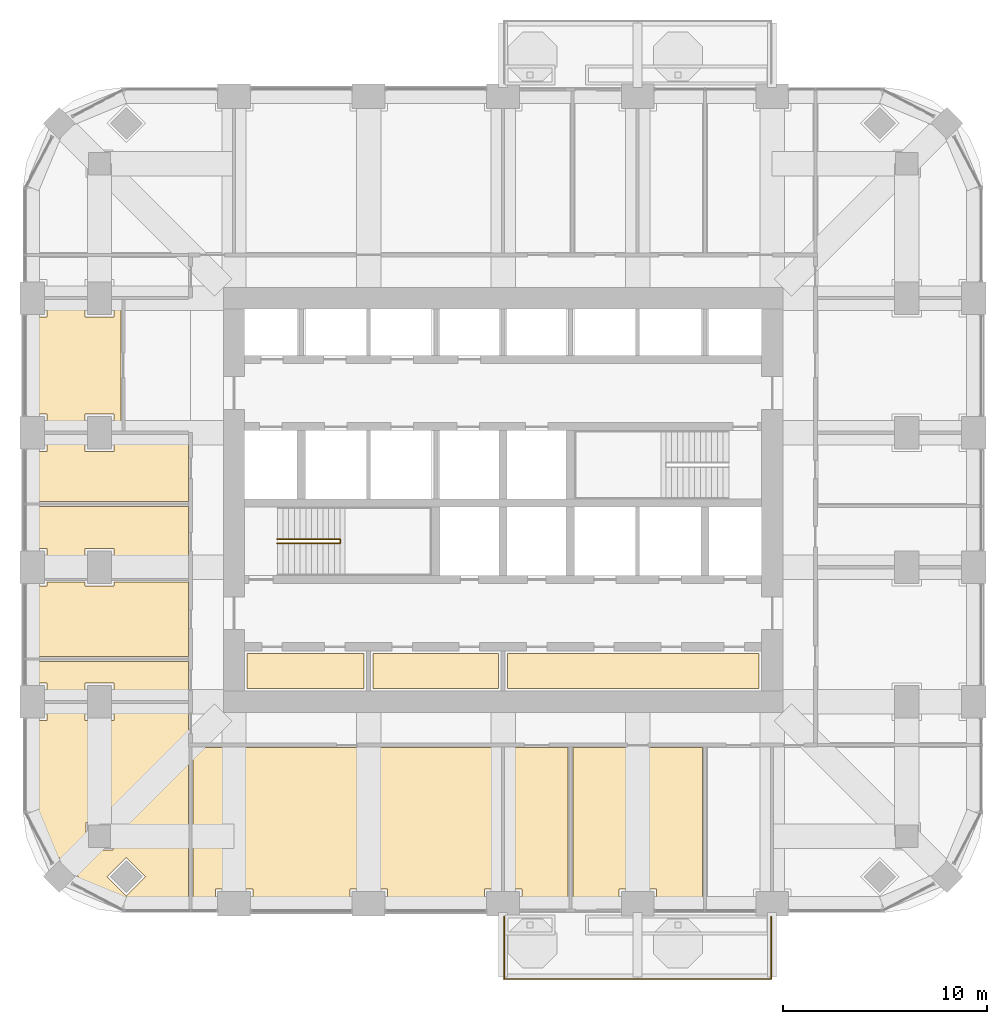
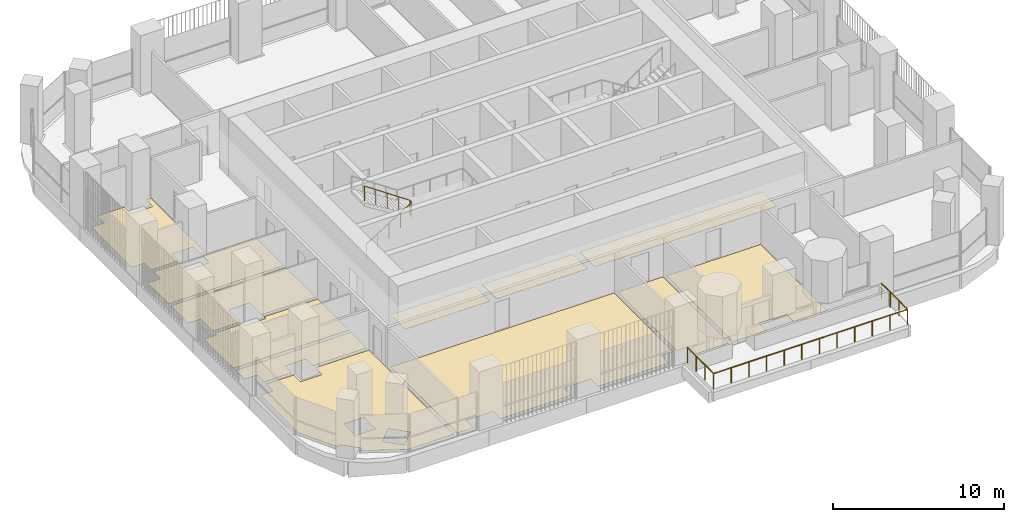
# One storey, part 16 of 19: 12 coverings, 2 railings.
"""IFC4 building model written with IfcOpenShell, lengths in metres."""

from ifc_helpers import new_model, si_unit, direction, frame, origin, place, context, subcontext, project, spatial, polyline, outline, extrude, material, layer, layer_set, type_object, element, save


model = new_model("IFC4")

# Units and contexts
model_context = context("Model", 3, precision=1e-05, world=origin(), true_north=direction((0.0, 1.0)))
body_context = subcontext(model_context, "Body", "Model", "MODEL_VIEW")
ifc_project = project(units=[si_unit("LENGTHUNIT", "METRE"), si_unit("AREAUNIT", "SQUARE_METRE"), si_unit("VOLUMEUNIT", "CUBIC_METRE"), si_unit("PLANEANGLEUNIT", "RADIAN"), si_unit("MASSUNIT", "GRAM", prefix="KILO")], contexts=[model_context])

# Site, building, storey
site_placement = place(None, origin())
site = spatial("IfcSite", under=ifc_project, at=site_placement, CompositionType="ELEMENT")
building_placement = place(site_placement, origin())
building = spatial("IfcBuilding", under=site, at=building_placement, Name="Cobogo Forest Laboratory Tower", CompositionType="ELEMENT")
storey_placement = place(building_placement, frame((0.0, 0.0, 172.5)))
storey = spatial("IfcBuildingStorey", under=building, at=storey_placement, Name="L39", CompositionType="ELEMENT", Elevation=172.5)

# Railing
ifc_material_1 = material(Name="Laminated glass balustrade", Category="glass")
railing_type_1 = type_object("IfcRailingType", Name="BG1 glass balustrade 1100", PredefinedType="GUARDRAIL", material=ifc_material_1)
railing_1_placement = place(storey_placement, frame((26.449951171875, 2.64990234375, 0.0)))
element("IfcRailing", 1, at=railing_1_placement, inside=storey, type_object=railing_type_1, Name="Balcony balustrade BAL-S1 L39", PredefinedType="GUARDRAIL", context=body_context, shape_type="SweptSolid", body=[
    extrude(outline(polyline([(0.022216796875, 0.00927734375), (0.00927734375, 0.022216796875), (-0.00927734375, 0.022216796875), (-0.022216796875, 0.00927734375), (-0.022216796875, -0.00927734375), (-0.00927734375, -0.022216796875), (0.00927734375, -0.022216796875), (0.022216796875, -0.00927734375), (0.022216796875, 0.00927734375)])), frame((0.0, 0.0, 1.077880859375), z_axis=(0.0, -1.0, 0.0), x_axis=(1.0, 0.0, 0.0)), (0.0, 0.0, 1.0), 3.0498046875),
    extrude(outline(polyline([(0.022216796875, 0.00927734375), (0.00927734375, 0.022216796875), (-0.00927734375, 0.022216796875), (-0.022216796875, 0.00927734375), (-0.022216796875, -0.00927734375), (-0.00927734375, -0.022216796875), (0.00927734375, -0.022216796875), (0.022216796875, -0.00927734375), (0.022216796875, 0.00927734375)])), frame((0.0, -3.0498046875, 1.077880859375), z_axis=(1.0, 0.0, 0.0), x_axis=(0.0, 1.0, 0.0)), (0.0, 0.0, 1.0), 13.10009765625),
    extrude(outline(polyline([(0.022216796875, 0.00927734375), (0.00927734375, 0.022216796875), (-0.00927734375, 0.022216796875), (-0.022216796875, 0.00927734375), (-0.022216796875, -0.00927734375), (-0.00927734375, -0.022216796875), (0.00927734375, -0.022216796875), (0.022216796875, -0.00927734375), (0.022216796875, 0.00927734375)])), frame((13.10009765625, -3.0498046875, 1.077880859375), z_axis=(0.0, 1.0, 0.0), x_axis=(-1.0, 0.0, 0.0)), (0.0, 0.0, 1.0), 3.0498046875),
    extrude(outline(polyline([(0.019287109375, 0.008056640625), (0.008056640625, 0.019287109375), (-0.008056640625, 0.019287109375), (-0.019287109375, 0.008056640625), (-0.019287109375, -0.008056640625), (-0.008056640625, -0.019287109375), (0.008056640625, -0.019287109375), (0.019287109375, -0.008056640625), (0.019287109375, 0.008056640625)])), origin(), (0.0, 0.0, 1.0), 1.077880859375),
    extrude(outline(polyline([(0.019287109375, 0.008056640625), (0.008056640625, 0.019287109375), (-0.008056640625, 0.019287109375), (-0.019287109375, 0.008056640625), (-0.019287109375, -0.008056640625), (-0.008056640625, -0.019287109375), (0.008056640625, -0.019287109375), (0.019287109375, -0.008056640625), (0.019287109375, 0.008056640625)])), frame((0.0, -1.0166015625, 0.0)), (0.0, 0.0, 1.0), 1.077880859375),
    extrude(outline(polyline([(0.019287109375, 0.008056640625), (0.008056640625, 0.019287109375), (-0.008056640625, 0.019287109375), (-0.019287109375, 0.008056640625), (-0.019287109375, -0.008056640625), (-0.008056640625, -0.019287109375), (0.008056640625, -0.019287109375), (0.019287109375, -0.008056640625), (0.019287109375, 0.008056640625)])), frame((0.0, -2.033203125, 0.0)), (0.0, 0.0, 1.0), 1.077880859375),
    extrude(outline(polyline([(0.019287109375, 0.008056640625), (0.008056640625, 0.019287109375), (-0.008056640625, 0.019287109375), (-0.019287109375, 0.008056640625), (-0.019287109375, -0.008056640625), (-0.008056640625, -0.019287109375), (0.008056640625, -0.019287109375), (0.019287109375, -0.008056640625), (0.019287109375, 0.008056640625)])), frame((0.0, -3.0498046875, 0.0)), (0.0, 0.0, 1.0), 1.077880859375),
    extrude(outline(polyline([(0.019287109375, 0.008056640625), (0.008056640625, 0.019287109375), (-0.008056640625, 0.019287109375), (-0.019287109375, 0.008056640625), (-0.019287109375, -0.008056640625), (-0.008056640625, -0.019287109375), (0.008056640625, -0.019287109375), (0.019287109375, -0.008056640625), (0.019287109375, 0.008056640625)])), frame((1.19091796875, -3.0498046875, 0.0)), (0.0, 0.0, 1.0), 1.077880859375),
    extrude(outline(polyline([(0.019287109375, 0.008056640625), (0.008056640625, 0.019287109375), (-0.008056640625, 0.019287109375), (-0.019287109375, 0.008056640625), (-0.019287109375, -0.008056640625), (-0.008056640625, -0.019287109375), (0.008056640625, -0.019287109375), (0.019287109375, -0.008056640625), (0.019287109375, 0.008056640625)])), frame((2.3818359375, -3.0498046875, 0.0)), (0.0, 0.0, 1.0), 1.077880859375),
    extrude(outline(polyline([(0.019287109375, 0.008056640625), (0.008056640625, 0.019287109375), (-0.008056640625, 0.019287109375), (-0.019287109375, 0.008056640625), (-0.019287109375, -0.008056640625), (-0.008056640625, -0.019287109375), (0.008056640625, -0.019287109375), (0.019287109375, -0.008056640625), (0.019287109375, 0.008056640625)])), frame((3.57275390625, -3.0498046875, 0.0)), (0.0, 0.0, 1.0), 1.077880859375),
    extrude(outline(polyline([(0.019287109375, 0.008056640625), (0.008056640625, 0.019287109375), (-0.008056640625, 0.019287109375), (-0.019287109375, 0.008056640625), (-0.019287109375, -0.008056640625), (-0.008056640625, -0.019287109375), (0.008056640625, -0.019287109375), (0.019287109375, -0.008056640625), (0.019287109375, 0.008056640625)])), frame((4.763671875, -3.0498046875, 0.0)), (0.0, 0.0, 1.0), 1.077880859375),
    extrude(outline(polyline([(0.019287109375, 0.008056640625), (0.008056640625, 0.019287109375), (-0.008056640625, 0.019287109375), (-0.019287109375, 0.008056640625), (-0.019287109375, -0.008056640625), (-0.008056640625, -0.019287109375), (0.008056640625, -0.019287109375), (0.019287109375, -0.008056640625), (0.019287109375, 0.008056640625)])), frame((5.95458984375, -3.0498046875, 0.0)), (0.0, 0.0, 1.0), 1.077880859375),
    extrude(outline(polyline([(0.019287109375, 0.008056640625), (0.008056640625, 0.019287109375), (-0.008056640625, 0.019287109375), (-0.019287109375, 0.008056640625), (-0.019287109375, -0.008056640625), (-0.008056640625, -0.019287109375), (0.008056640625, -0.019287109375), (0.019287109375, -0.008056640625), (0.019287109375, 0.008056640625)])), frame((7.1455078125, -3.0498046875, 0.0)), (0.0, 0.0, 1.0), 1.077880859375),
    extrude(outline(polyline([(0.019287109375, 0.008056640625), (0.008056640625, 0.019287109375), (-0.008056640625, 0.019287109375), (-0.019287109375, 0.008056640625), (-0.019287109375, -0.008056640625), (-0.008056640625, -0.019287109375), (0.008056640625, -0.019287109375), (0.019287109375, -0.008056640625), (0.019287109375, 0.008056640625)])), frame((8.33642578125, -3.0498046875, 0.0)), (0.0, 0.0, 1.0), 1.077880859375),
    extrude(outline(polyline([(0.019287109375, 0.008056640625), (0.008056640625, 0.019287109375), (-0.008056640625, 0.019287109375), (-0.019287109375, 0.008056640625), (-0.019287109375, -0.008056640625), (-0.008056640625, -0.019287109375), (0.008056640625, -0.019287109375), (0.019287109375, -0.008056640625), (0.019287109375, 0.008056640625)])), frame((9.52734375, -3.0498046875, 0.0)), (0.0, 0.0, 1.0), 1.077880859375),
    extrude(outline(polyline([(0.019287109375, 0.008056640625), (0.008056640625, 0.019287109375), (-0.008056640625, 0.019287109375), (-0.019287109375, 0.008056640625), (-0.019287109375, -0.008056640625), (-0.008056640625, -0.019287109375), (0.008056640625, -0.019287109375), (0.019287109375, -0.008056640625), (0.019287109375, 0.008056640625)])), frame((10.71826171875, -3.0498046875, 0.0)), (0.0, 0.0, 1.0), 1.077880859375),
    extrude(outline(polyline([(0.019287109375, 0.008056640625), (0.008056640625, 0.019287109375), (-0.008056640625, 0.019287109375), (-0.019287109375, 0.008056640625), (-0.019287109375, -0.008056640625), (-0.008056640625, -0.019287109375), (0.008056640625, -0.019287109375), (0.019287109375, -0.008056640625), (0.019287109375, 0.008056640625)])), frame((11.9091796875, -3.0498046875, 0.0)), (0.0, 0.0, 1.0), 1.077880859375),
    extrude(outline(polyline([(0.019287109375, 0.008056640625), (0.008056640625, 0.019287109375), (-0.008056640625, 0.019287109375), (-0.019287109375, 0.008056640625), (-0.019287109375, -0.008056640625), (-0.008056640625, -0.019287109375), (0.008056640625, -0.019287109375), (0.019287109375, -0.008056640625), (0.019287109375, 0.008056640625)])), frame((13.10009765625, -3.0498046875, 0.0)), (0.0, 0.0, 1.0), 1.077880859375),
    extrude(outline(polyline([(0.019287109375, 0.008056640625), (0.008056640625, 0.019287109375), (-0.008056640625, 0.019287109375), (-0.019287109375, 0.008056640625), (-0.019287109375, -0.008056640625), (-0.008056640625, -0.019287109375), (0.008056640625, -0.019287109375), (0.019287109375, -0.008056640625), (0.019287109375, 0.008056640625)])), frame((13.10009765625, -2.033203125, 0.0)), (0.0, 0.0, 1.0), 1.077880859375),
    extrude(outline(polyline([(0.019287109375, 0.008056640625), (0.008056640625, 0.019287109375), (-0.008056640625, 0.019287109375), (-0.019287109375, 0.008056640625), (-0.019287109375, -0.008056640625), (-0.008056640625, -0.019287109375), (0.008056640625, -0.019287109375), (0.019287109375, -0.008056640625), (0.019287109375, 0.008056640625)])), frame((13.10009765625, -1.0166015625, 0.0)), (0.0, 0.0, 1.0), 1.077880859375),
    extrude(outline(polyline([(0.019287109375, 0.008056640625), (0.008056640625, 0.019287109375), (-0.008056640625, 0.019287109375), (-0.019287109375, 0.008056640625), (-0.019287109375, -0.008056640625), (-0.008056640625, -0.019287109375), (0.008056640625, -0.019287109375), (0.019287109375, -0.008056640625), (0.019287109375, 0.008056640625)])), frame((13.10009765625, 0.0, 0.0)), (0.0, 0.0, 1.0), 1.077880859375),
])

# Coverings
ifc_material_2 = material(Name="Carpet tile on raised access floor", Category="flooring")
ifc_layer_1 = layer(ifc_material_2, 0.008056640625)
ifc_layer_set_1 = layer_set([ifc_layer_1], Name="CT1 carpet tile floor 8")
covering_type_1 = type_object("IfcCoveringType", Name="CT1 carpet tile floor 8", PredefinedType="FLOORING", material=ifc_layer_set_1)
covering_1_placement = place(storey_placement, origin())
element("IfcCovering", 2, at=covering_1_placement, inside=storey, type_object=covering_type_1, Name="Carpet floor L39-01", PredefinedType="FLOORING", context=body_context, shape_type="SweptSolid", body=[
    extrude(outline(polyline([(26.280029296875, 10.955078125), (26.280029296875, 4.02001953125), (25.47998046875, 4.02001953125), (25.47998046875, 3.14990234375), (20.719970703125, 3.14990234375), (20.719970703125, 4.02001953125), (18.8798828125, 4.02001953125), (18.8798828125, 3.14990234375), (14.1201171875, 3.14990234375), (14.1201171875, 4.02001953125), (12.280029296875, 4.02001953125), (12.280029296875, 3.14990234375), (11.195068359375, 3.14990234375), (11.195068359375, 10.955078125), (26.280029296875, 10.955078125)])), origin(), (0.0, 0.0, 1.0), 0.008056640625),
])
covering_2_placement = place(storey_placement, origin())
element("IfcCovering", 3, at=covering_2_placement, inside=storey, type_object=covering_type_1, Name="Carpet floor L39-03", PredefinedType="FLOORING", context=body_context, shape_type="SweptSolid", body=[
    extrude(outline(polyline([(36.179931640625, 10.955078125), (36.179931640625, 3.14990234375), (33.919921875, 3.14990234375), (33.919921875, 4.02001953125), (32.080078125, 4.02001953125), (32.080078125, 3.14990234375), (29.820068359375, 3.14990234375), (29.820068359375, 10.955078125), (36.179931640625, 10.955078125)])), origin(), (0.0, 0.0, 1.0), 0.008056640625),
])
covering_3_placement = place(storey_placement, origin())
element("IfcCovering", 4, at=covering_3_placement, inside=storey, type_object=covering_type_1, Name="Carpet floor L39-17", PredefinedType="FLOORING", context=body_context, shape_type="SweptSolid", body=[
    extrude(outline(polyline([(10.955078125, 3.14990234375), (7.84912109375, 3.14990234375), (5.387939453125, 4.440185546875), (5.5654296875, 4.617919921875), (4.617919921875, 5.5654296875), (4.440185546875, 5.387939453125), (3.14990234375, 7.84912109375), (3.14990234375, 12.280029296875), (4.02001953125, 12.280029296875), (4.02001953125, 13.080078125), (5.8798828125, 13.080078125), (5.8798828125, 12.280029296875), (7.320068359375, 12.280029296875), (7.320068359375, 13.080078125), (10.955078125, 13.080078125), (10.955078125, 3.14990234375)]), holes=[polyline([(7.91796875, 3.67041015625), (8.865478515625, 4.617919921875), (7.91796875, 5.5654296875), (6.970458984375, 4.617919921875), (7.91796875, 3.67041015625)]), polyline([(5.929931640625, 5.929931640625), (7.27001953125, 5.929931640625), (7.27001953125, 7.27001953125), (5.929931640625, 7.27001953125), (5.929931640625, 5.929931640625)])]), origin(), (0.0, 0.0, 1.0), 0.008056640625),
])
covering_4_placement = place(storey_placement, origin())
element("IfcCovering", 5, at=covering_4_placement, inside=storey, type_object=covering_type_1, Name="Carpet floor L39-31", PredefinedType="FLOORING", context=body_context, shape_type="SweptSolid", body=[
    extrude(outline(polyline([(19.580078125, 13.844970703125), (13.844970703125, 13.844970703125), (13.844970703125, 15.580078125), (19.580078125, 15.580078125), (19.580078125, 13.844970703125)])), origin(), (0.0, 0.0, 1.0), 0.008056640625),
])
covering_5_placement = place(storey_placement, origin())
element("IfcCovering", 6, at=covering_5_placement, inside=storey, type_object=covering_type_1, Name="Carpet floor L39-33", PredefinedType="FLOORING", context=body_context, shape_type="SweptSolid", body=[
    extrude(outline(polyline([(38.955078125, 13.844970703125), (26.6201171875, 13.844970703125), (26.6201171875, 15.580078125), (38.955078125, 15.580078125), (38.955078125, 13.844970703125)])), origin(), (0.0, 0.0, 1.0), 0.008056640625),
])

# Railing
ifc_material_3 = material(Name="Steel balustrade", Category="steel")
railing_type_2 = type_object("IfcRailingType", Name="GR stair guard 1100", PredefinedType="GUARDRAIL", material=ifc_material_3)
railing_2_placement = place(storey_placement, frame((15.324951171875, 20.969970703125, 0.175048828125)))
element("IfcRailing", 7, at=railing_2_placement, inside=storey, type_object=railing_type_2, Name="Stair guard ST1 L39", PredefinedType="GUARDRAIL", context=body_context, shape_type="SweptSolid", body=[
    extrude(outline(polyline([(0.022216796875, 0.00927734375), (0.00927734375, 0.022216796875), (-0.00927734375, 0.022216796875), (-0.022216796875, 0.00927734375), (-0.022216796875, -0.00927734375), (-0.00927734375, -0.022216796875), (0.00927734375, -0.022216796875), (0.022216796875, -0.00927734375), (0.022216796875, 0.00927734375)])), frame((0.0, 0.0, 1.077880859375), z_axis=(0.847998304005, 0.0, 0.529998940003), x_axis=(0.0, 1.0, 0.0)), (0.0, 0.0, 1.0), 3.632080078125),
    extrude(outline(polyline([(0.022216796875, 0.00927734375), (0.00927734375, 0.022216796875), (-0.00927734375, 0.022216796875), (-0.022216796875, 0.00927734375), (-0.022216796875, -0.00927734375), (-0.00927734375, -0.022216796875), (0.00927734375, -0.022216796875), (0.022216796875, -0.00927734375), (0.022216796875, 0.00927734375)])), frame((3.080078125, 0.0, 3.0029296875), z_axis=(0.0, 1.0, 0.0), x_axis=(-1.0, 0.0, 0.0)), (0.0, 0.0, 1.0), 0.2099609375),
    extrude(outline(polyline([(0.022216796875, 0.00927734375), (0.00927734375, 0.022216796875), (-0.00927734375, 0.022216796875), (-0.022216796875, 0.00927734375), (-0.022216796875, -0.00927734375), (-0.00927734375, -0.022216796875), (0.00927734375, -0.022216796875), (0.022216796875, -0.00927734375), (0.022216796875, 0.00927734375)])), frame((3.080078125, 0.2099609375, 3.0029296875), z_axis=(-0.826252282691, 0.0, 0.563300244406), x_axis=(0.0, -1.0, 0.0)), (0.0, 0.0, 1.0), 3.727783203125),
    extrude(outline(polyline([(0.019287109375, 0.008056640625), (0.008056640625, 0.019287109375), (-0.008056640625, 0.019287109375), (-0.019287109375, 0.008056640625), (-0.019287109375, -0.008056640625), (-0.008056640625, -0.019287109375), (0.008056640625, -0.019287109375), (0.019287109375, -0.008056640625), (0.019287109375, 0.008056640625)])), origin(), (0.0, 0.0, 1.0), 1.077880859375),
    extrude(outline(polyline([(0.019287109375, 0.008056640625), (0.008056640625, 0.019287109375), (-0.008056640625, 0.019287109375), (-0.019287109375, 0.008056640625), (-0.019287109375, -0.008056640625), (-0.008056640625, -0.019287109375), (0.008056640625, -0.019287109375), (0.019287109375, -0.008056640625), (0.019287109375, 0.008056640625)])), frame((0.77001953125, 0.0, 0.481201171875)), (0.0, 0.0, 1.0), 1.077880859375),
    extrude(outline(polyline([(0.019287109375, 0.008056640625), (0.008056640625, 0.019287109375), (-0.008056640625, 0.019287109375), (-0.019287109375, 0.008056640625), (-0.019287109375, -0.008056640625), (-0.008056640625, -0.019287109375), (0.008056640625, -0.019287109375), (0.019287109375, -0.008056640625), (0.019287109375, 0.008056640625)])), frame((1.5400390625, 0.0, 0.96240234375)), (0.0, 0.0, 1.0), 1.077880859375),
    extrude(outline(polyline([(0.019287109375, 0.008056640625), (0.008056640625, 0.019287109375), (-0.008056640625, 0.019287109375), (-0.019287109375, 0.008056640625), (-0.019287109375, -0.008056640625), (-0.008056640625, -0.019287109375), (0.008056640625, -0.019287109375), (0.019287109375, -0.008056640625), (0.019287109375, 0.008056640625)])), frame((2.31005859375, 0.0, 1.44384765625)), (0.0, 0.0, 1.0), 1.077880859375),
    extrude(outline(polyline([(0.019287109375, 0.008056640625), (0.008056640625, 0.019287109375), (-0.008056640625, 0.019287109375), (-0.019287109375, 0.008056640625), (-0.019287109375, -0.008056640625), (-0.008056640625, -0.019287109375), (0.008056640625, -0.019287109375), (0.019287109375, -0.008056640625), (0.019287109375, 0.008056640625)])), frame((3.080078125, 0.0, 1.925048828125)), (0.0, 0.0, 1.0), 1.077880859375),
    extrude(outline(polyline([(0.019287109375, 0.008056640625), (0.008056640625, 0.019287109375), (-0.008056640625, 0.019287109375), (-0.019287109375, 0.008056640625), (-0.019287109375, -0.008056640625), (-0.008056640625, -0.019287109375), (0.008056640625, -0.019287109375), (0.019287109375, -0.008056640625), (0.019287109375, 0.008056640625)])), frame((3.080078125, 0.2099609375, 1.925048828125)), (0.0, 0.0, 1.0), 1.077880859375),
    extrude(outline(polyline([(0.019287109375, 0.008056640625), (0.008056640625, 0.019287109375), (-0.008056640625, 0.019287109375), (-0.019287109375, 0.008056640625), (-0.019287109375, -0.008056640625), (-0.008056640625, -0.019287109375), (0.008056640625, -0.019287109375), (0.019287109375, -0.008056640625), (0.019287109375, 0.008056640625)])), frame((2.31005859375, 0.2099609375, 2.449951171875)), (0.0, 0.0, 1.0), 1.077880859375),
    extrude(outline(polyline([(0.019287109375, 0.008056640625), (0.008056640625, 0.019287109375), (-0.008056640625, 0.019287109375), (-0.019287109375, 0.008056640625), (-0.019287109375, -0.008056640625), (-0.008056640625, -0.019287109375), (0.008056640625, -0.019287109375), (0.019287109375, -0.008056640625), (0.019287109375, 0.008056640625)])), frame((1.5400390625, 0.2099609375, 2.97509765625)), (0.0, 0.0, 1.0), 1.077880859375),
    extrude(outline(polyline([(0.019287109375, 0.008056640625), (0.008056640625, 0.019287109375), (-0.008056640625, 0.019287109375), (-0.019287109375, 0.008056640625), (-0.019287109375, -0.008056640625), (-0.008056640625, -0.019287109375), (0.008056640625, -0.019287109375), (0.019287109375, -0.008056640625), (0.019287109375, 0.008056640625)])), frame((0.77001953125, 0.2099609375, 3.5)), (0.0, 0.0, 1.0), 1.077880859375),
    extrude(outline(polyline([(0.019287109375, 0.008056640625), (0.008056640625, 0.019287109375), (-0.008056640625, 0.019287109375), (-0.019287109375, 0.008056640625), (-0.019287109375, -0.008056640625), (-0.008056640625, -0.019287109375), (0.008056640625, -0.019287109375), (0.019287109375, -0.008056640625), (0.019287109375, 0.008056640625)])), frame((0.0, 0.2099609375, 4.02490234375)), (0.0, 0.0, 1.0), 1.077880859375),
])

# Coverings
ifc_material_4 = material(Name="Static-dissipative vinyl flooring", Category="flooring")
ifc_layer_2 = layer(ifc_material_4, 0.0029296875)
ifc_layer_set_2 = layer_set([ifc_layer_2], Name="SD1 static-dissipative vinyl floor 3")
covering_type_2 = type_object("IfcCoveringType", Name="SD1 static-dissipative vinyl floor 3", PredefinedType="FLOORING", material=ifc_layer_set_2)
covering_6_placement = place(storey_placement, origin())
element("IfcCovering", 8, at=covering_6_placement, inside=storey, type_object=covering_type_2, Name="Static-dissipative floor L39-02", PredefinedType="FLOORING", context=body_context, shape_type="SweptSolid", body=[
    extrude(outline(polyline([(29.580078125, 10.955078125), (29.580078125, 3.14990234375), (27.320068359375, 3.14990234375), (27.320068359375, 4.02001953125), (26.52001953125, 4.02001953125), (26.52001953125, 10.955078125), (29.580078125, 10.955078125)])), origin(), (0.0, 0.0, 1.0), 0.0029296875),
])
covering_7_placement = place(storey_placement, origin())
element("IfcCovering", 9, at=covering_7_placement, inside=storey, type_object=covering_type_2, Name="Static-dissipative floor L39-22", PredefinedType="FLOORING", context=body_context, shape_type="SweptSolid", body=[
    extrude(outline(polyline([(7.655029296875, 26.52001953125), (7.320068359375, 26.52001953125), (7.320068359375, 27.320068359375), (5.8798828125, 27.320068359375), (5.8798828125, 26.52001953125), (4.02001953125, 26.52001953125), (4.02001953125, 27.320068359375), (3.14990234375, 27.320068359375), (3.14990234375, 32.080078125), (4.02001953125, 32.080078125), (4.02001953125, 32.8798828125), (5.8798828125, 32.8798828125), (5.8798828125, 32.080078125), (7.320068359375, 32.080078125), (7.320068359375, 32.8798828125), (7.655029296875, 32.8798828125), (7.655029296875, 26.52001953125)])), origin(), (0.0, 0.0, 1.0), 0.0029296875),
])
ifc_material_5 = material(Name="Ceramic floor tile", Category="flooring")
ifc_layer_3 = layer(ifc_material_5, 0.010009765625)
ifc_layer_set_3 = layer_set([ifc_layer_3], Name="TF1 ceramic tile floor 10")
covering_type_3 = type_object("IfcCoveringType", Name="TF1 ceramic tile floor 10", PredefinedType="FLOORING", material=ifc_layer_set_3)
covering_8_placement = place(storey_placement, origin())
element("IfcCovering", 10, at=covering_8_placement, inside=storey, type_object=covering_type_3, Name="Tile floor L39-18", PredefinedType="FLOORING", context=body_context, shape_type="SweptSolid", body=[
    extrude(outline(polyline([(10.955078125, 13.320068359375), (7.320068359375, 13.320068359375), (7.320068359375, 14.1201171875), (5.8798828125, 14.1201171875), (5.8798828125, 13.320068359375), (4.02001953125, 13.320068359375), (4.02001953125, 14.1201171875), (3.14990234375, 14.1201171875), (3.14990234375, 15.179931640625), (10.955078125, 15.179931640625), (10.955078125, 13.320068359375)])), origin(), (0.0, 0.0, 1.0), 0.010009765625),
])
covering_9_placement = place(storey_placement, origin())
element("IfcCovering", 11, at=covering_9_placement, inside=storey, type_object=covering_type_3, Name="Tile floor L39-19", PredefinedType="FLOORING", context=body_context, shape_type="SweptSolid", body=[
    extrude(outline(polyline([(10.955078125, 15.419921875), (3.14990234375, 15.419921875), (3.14990234375, 18.8798828125), (4.02001953125, 18.8798828125), (4.02001953125, 19.080078125), (5.8798828125, 19.080078125), (5.8798828125, 18.8798828125), (7.320068359375, 18.8798828125), (7.320068359375, 19.080078125), (10.955078125, 19.080078125), (10.955078125, 15.419921875)])), origin(), (0.0, 0.0, 1.0), 0.010009765625),
])
covering_10_placement = place(storey_placement, origin())
element("IfcCovering", 12, at=covering_10_placement, inside=storey, type_object=covering_type_3, Name="Tile floor L39-20", PredefinedType="FLOORING", context=body_context, shape_type="SweptSolid", body=[
    extrude(outline(polyline([(10.955078125, 19.320068359375), (7.320068359375, 19.320068359375), (7.320068359375, 20.719970703125), (5.8798828125, 20.719970703125), (5.8798828125, 19.320068359375), (4.02001953125, 19.320068359375), (4.02001953125, 20.719970703125), (3.14990234375, 20.719970703125), (3.14990234375, 22.780029296875), (10.955078125, 22.780029296875), (10.955078125, 19.320068359375)])), origin(), (0.0, 0.0, 1.0), 0.010009765625),
])
covering_11_placement = place(storey_placement, origin())
element("IfcCovering", 13, at=covering_11_placement, inside=storey, type_object=covering_type_3, Name="Tile floor L39-21", PredefinedType="FLOORING", context=body_context, shape_type="SweptSolid", body=[
    extrude(outline(polyline([(10.955078125, 23.02001953125), (3.14990234375, 23.02001953125), (3.14990234375, 25.47998046875), (4.02001953125, 25.47998046875), (4.02001953125, 26.280029296875), (5.8798828125, 26.280029296875), (5.8798828125, 25.47998046875), (7.320068359375, 25.47998046875), (7.320068359375, 26.280029296875), (10.955078125, 26.280029296875), (10.955078125, 23.02001953125)])), origin(), (0.0, 0.0, 1.0), 0.010009765625),
])
covering_12_placement = place(storey_placement, origin())
element("IfcCovering", 14, at=covering_12_placement, inside=storey, type_object=covering_type_3, Name="Tile floor L39-32", PredefinedType="FLOORING", context=body_context, shape_type="SweptSolid", body=[
    extrude(outline(polyline([(26.179931640625, 13.844970703125), (20.02001953125, 13.844970703125), (20.02001953125, 15.580078125), (26.179931640625, 15.580078125), (26.179931640625, 13.844970703125)])), origin(), (0.0, 0.0, 1.0), 0.010009765625),
])

save(model, "model.ifc")
